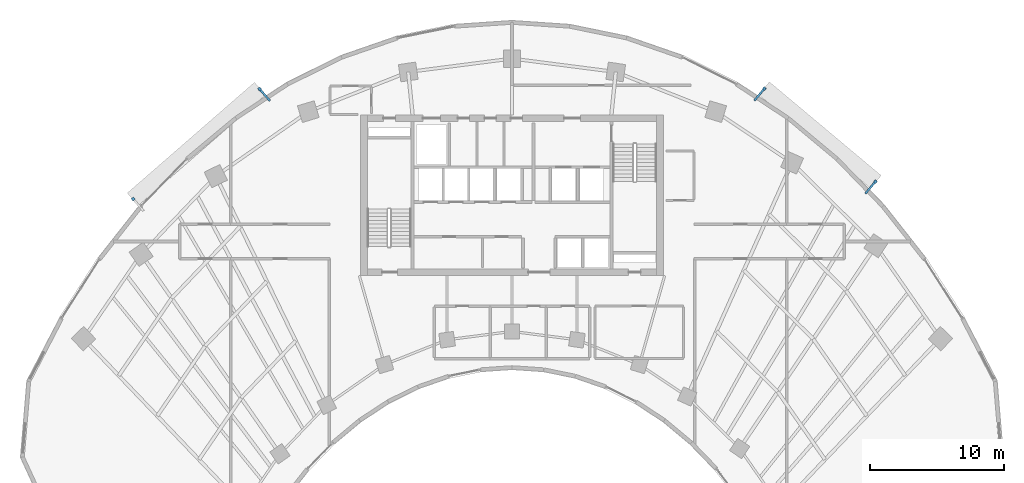
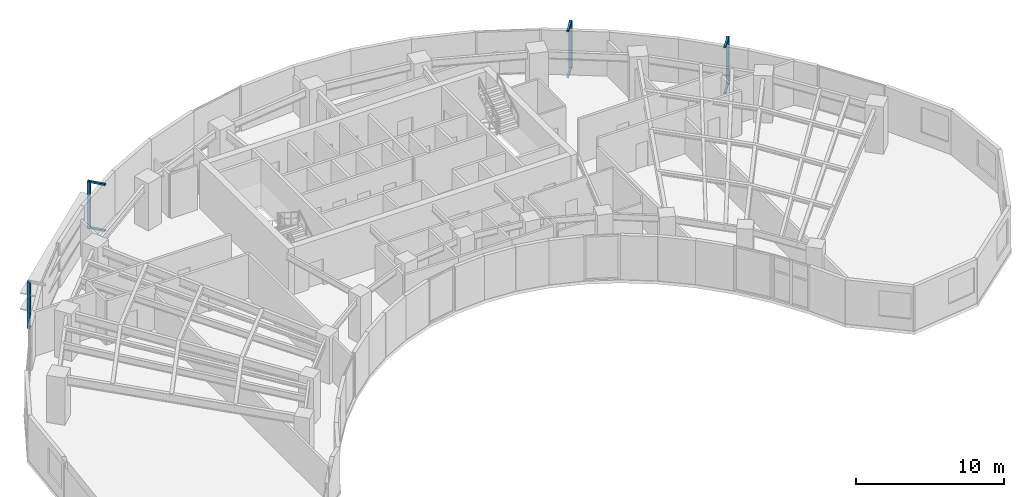
# One storey, part 12 of 14: 10 discrete accessories.
"""IFC4 building model written with IfcOpenShell, lengths in metres."""

from ifc_helpers import new_model, si_unit, direction, frame, origin, origin_2d, place, context, subcontext, project, spatial, rectangle, extrude, source, transform, mapped, material, type_object, type_shapes, element, save


model = new_model("IFC4")

# Units and contexts
model_context = context("Model", 3, precision=1e-05, world=origin(), true_north=direction((0.0, 1.0)))
body_context = subcontext(model_context, "Body", "Model", "MODEL_VIEW")
ifc_project = project(units=[si_unit("LENGTHUNIT", "METRE"), si_unit("AREAUNIT", "SQUARE_METRE"), si_unit("VOLUMEUNIT", "CUBIC_METRE"), si_unit("PLANEANGLEUNIT", "RADIAN"), si_unit("MASSUNIT", "GRAM", prefix="KILO")], contexts=[model_context])

# Site, building, storey
site_placement = place(None, origin())
site = spatial("IfcSite", under=ifc_project, at=site_placement, CompositionType="ELEMENT")
building_placement = place(site_placement, origin())
building = spatial("IfcBuilding", under=site, at=building_placement, Name="Breltana Convention Tower", CompositionType="ELEMENT")
storey_placement = place(building_placement, frame((0.0, 0.0, 115.5)))
storey = spatial("IfcBuildingStorey", under=building, at=storey_placement, Name="L27", CompositionType="ELEMENT", Elevation=115.5)

# Discrete accessories
ifc_material = material(Name="Steel S355", Category="steel")
discrete_accessory_type_1 = type_object("IfcDiscreteAccessoryType", Name="ACC-DSF-BRACKET-150", PredefinedType="BRACKET", material=ifc_material)
shared_shape_1 = source(origin(), body_context, "Body", "SweptSolid", [
    extrude(rectangle(XDim=1.239990234375, YDim=0.14990234375, at=origin_2d()), origin(), (0.0, 0.0, 1.0), 0.139892578125),
])
type_shapes(discrete_accessory_type_1, [shared_shape_1])
for number, where, z_axis, x_axis, name in (
    (1, (29.520751953125, 73.713623046875, -0.16015625), (0.0, 0.0, 1.0), (-0.656454255701, 0.754365833115, 0.0), "L27 double-skin slab stand-off bracket 1.2B"),
    (2, (29.520751953125, 73.713623046875, 3.64990234375), (0.0, 0.0, 1.0), (-0.656454255701, 0.754365833115, 0.0), "L27 double-skin slab stand-off bracket 1.2T"),
    (3, (66.487060546875, 73.735595703125, -0.16015625), (0.0, 0.0, 1.0), (0.641987488939, 0.766715112702, 0.0), "L27 double-skin slab stand-off bracket 2.1B"),
    (4, (66.487060546875, 73.735595703125, 3.64990234375), (0.0, 0.0, 1.0), (0.641987488939, 0.766715112702, 0.0), "L27 double-skin slab stand-off bracket 2.1T"),
    (5, (74.777099609375, 66.794189453125, -0.16015625), (0.0, 0.0, 1.0), (0.641987488939, 0.766715112702, 0.0), "L27 double-skin slab stand-off bracket 2.2B"),
    (6, (74.777099609375, 66.794189453125, 3.64990234375), (0.0, 0.0, 1.0), (0.641987488939, 0.766715112702, 0.0), "L27 double-skin slab stand-off bracket 2.2T"),
):
    element("IfcDiscreteAccessory", number, at=place(storey_placement, frame(where, z_axis=z_axis, x_axis=x_axis)), inside=storey, type_object=discrete_accessory_type_1, Name=name, PredefinedType="BRACKET", context=body_context, shape_type="MappedRepresentation", body=[
        mapped(shared_shape_1, transform((0.0, 0.0, 0.0), scale=1.0)),
    ])
discrete_accessory_type_2 = type_object("IfcDiscreteAccessoryType", Name="ACC-DSF-CARRIER-150", PredefinedType="BRACKET", material=ifc_material)
shared_shape_2 = source(origin(), body_context, "Body", "SweptSolid", [
    extrude(rectangle(XDim=0.219970703125, YDim=0.219970703125, at=origin_2d()), origin(), (0.0, 0.0, 1.0), 3.8701171875),
])
for number, where, z_axis, x_axis, name in (
    (7, (19.712646484375, 65.9208984375, -0.1201171875), (0.0, 0.0, 1.0), (-0.656454255701, 0.754365833115, 0.0), "L27 double-skin outer vertical carrier 1.1"),
    (8, (29.153076171875, 74.135986328125, -0.1201171875), (0.0, 0.0, 1.0), (-0.656454255701, 0.754365833115, 0.0), "L27 double-skin outer vertical carrier 1.2"),
    (9, (66.8466796875, 74.1650390625, -0.1201171875), (0.0, 0.0, 1.0), (0.641987488939, 0.766715112702, 0.0), "L27 double-skin outer vertical carrier 2.1"),
    (10, (75.13671875, 67.2236328125, -0.1201171875), (0.0, 0.0, 1.0), (0.641987488939, 0.766715112702, 0.0), "L27 double-skin outer vertical carrier 2.2"),
):
    element("IfcDiscreteAccessory", number, at=place(storey_placement, frame(where, z_axis=z_axis, x_axis=x_axis)), inside=storey, type_object=discrete_accessory_type_2, Name=name, PredefinedType="BRACKET", context=body_context, shape_type="MappedRepresentation", body=[
        mapped(shared_shape_2, transform((0.0, 0.0, 0.0), scale=1.0)),
    ])

save(model, "model.ifc")
